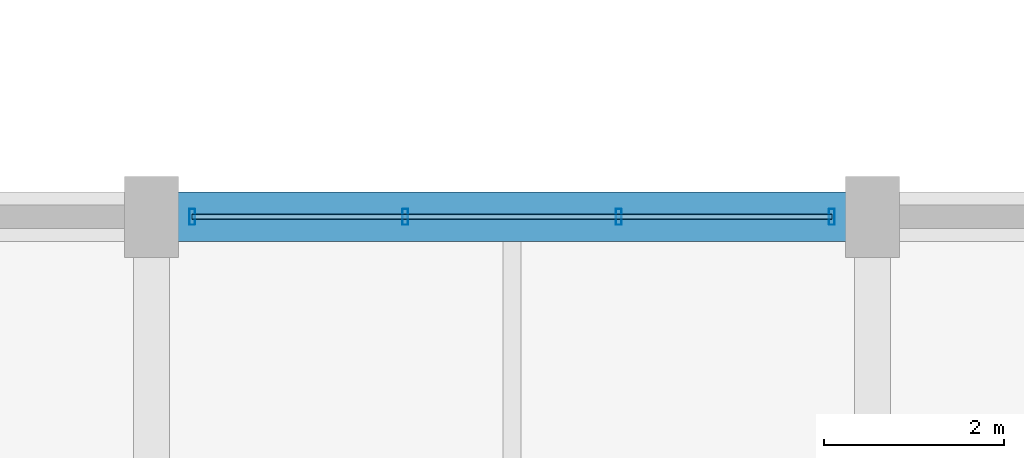
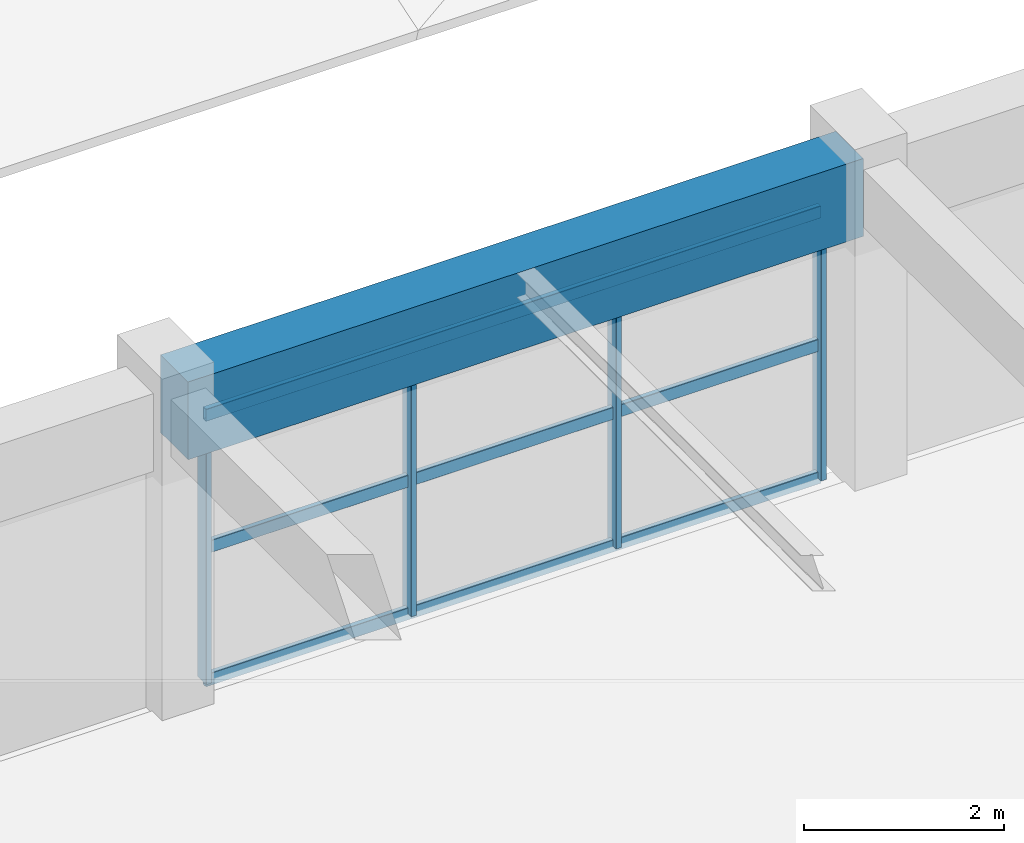
# One storey, part 7 of 63: 7 members, 1 beam, 1 element without a shape of its own.
"""IFC4 building model written with IfcOpenShell, lengths in metres."""

import ifcopenshell
import ifcopenshell.guid

model = None  # the IFC model being written
_history = None  # IfcOwnerHistory: only IFC2X3 demands one
_inside = {}  # id of a spatial element -> (the spatial element, [elements in it])
_under = {}  # id of a project, library or spatial element -> (it, [spatial elements below it])
_declared = {}  # id of a project -> (the project, [libraries it declares])
_typed = {}  # id of a type object -> (the type object, [elements of that type])
_made_of = {}  # id of a material, layer set ... -> (it, [elements and type objects made of it])


def new_model(schema):
    """Start an empty IFC model of exactly this schema.

    Asked for "IFC4X3", IfcOpenShell would pick the latest addendum, in which some entities
    have other attributes; the version numbers below select the first issue.
    IFC2X3 requires an IfcOwnerHistory on every rooted entity: one is made here for all.
    """
    global model, _history
    if schema == "IFC4X3":
        model = ifcopenshell.file(schema_version=(4, 3, 0, 0))
    else:
        model = ifcopenshell.file(schema=schema)
    _inside.clear()
    _under.clear()
    _declared.clear()
    _typed.clear()
    _made_of.clear()
    _history = None
    if model.schema == "IFC2X3":
        org = make("IfcOrganization", Name="unknown")
        user = make(
            "IfcPersonAndOrganization",
            ThePerson=make("IfcPerson", FamilyName="unknown"),
            TheOrganization=org,
        )
        app = make(
            "IfcApplication",
            ApplicationDeveloper=org,
            Version="unknown",
            ApplicationFullName="unknown",
            ApplicationIdentifier="unknown",
        )
        _history = make(
            "IfcOwnerHistory",
            OwningUser=user,
            OwningApplication=app,
            ChangeAction="ADDED",
            CreationDate=0,
        )
    return model


def make(cls, **values):
    """One entity of the class cls with the attributes given. An attribute that is None is left unset."""
    return model.create_entity(
        cls, **{name: value for name, value in values.items() if value is not None}
    )


def rooted(cls, **values):
    """An entity with a GlobalId (a new one), such as an element, a storey or a relation."""
    return make(cls, GlobalId=ifcopenshell.guid.new(), OwnerHistory=_history, **values)


def si_unit(unit_type, name, prefix=None):
    """IfcSIUnit, for example si_unit("LENGTHUNIT", "METRE", prefix="MILLI")."""
    return make("IfcSIUnit", UnitType=unit_type, Prefix=prefix, Name=name)


def assignment(units):
    """IfcUnitAssignment: the units of a project."""
    return None if units is None else make("IfcUnitAssignment", Units=units)


def point(xyz):
    """IfcCartesianPoint."""
    return None if xyz is None else make("IfcCartesianPoint", Coordinates=xyz)


def direction(xyz):
    """IfcDirection."""
    return None if xyz is None else make("IfcDirection", DirectionRatios=xyz)


def frame(location, z_axis=None, x_axis=None):
    """IfcAxis2Placement3D, a coordinate frame: its origin and axes. An axis left out is left unset."""
    return make(
        "IfcAxis2Placement3D",
        Location=point(location),
        Axis=direction(z_axis),
        RefDirection=direction(x_axis),
    )


def frame_2d(location, x_axis=None):
    """IfcAxis2Placement2D, a coordinate frame in the plane: its origin and x axis."""
    return make(
        "IfcAxis2Placement2D", Location=point(location), RefDirection=direction(x_axis)
    )


def origin():
    """The frame at (0, 0, 0) with its axes left unset."""
    return frame((0.0, 0.0, 0.0))


def origin_2d():
    """The frame at (0, 0) in the plane with its x axis left unset."""
    return frame_2d((0.0, 0.0))


def place(relative_to, where):
    """IfcLocalPlacement: puts the frame where relative to a parent placement (None: the world)."""
    return make(
        "IfcLocalPlacement", PlacementRelTo=relative_to, RelativePlacement=where
    )


def context(
    kind, dimensions, precision=None, world=None, true_north=None, identifier=None
):
    """IfcGeometricRepresentationContext, for example the 3D "Model" context."""
    return make(
        "IfcGeometricRepresentationContext",
        ContextIdentifier=identifier,
        ContextType=kind,
        CoordinateSpaceDimension=dimensions,
        Precision=precision,
        WorldCoordinateSystem=world,
        TrueNorth=true_north,
    )


def subcontext(parent, identifier, kind, view, scale=None):
    """IfcGeometricRepresentationSubContext, for example "Body" below "Model"."""
    return make(
        "IfcGeometricRepresentationSubContext",
        ContextIdentifier=identifier,
        ContextType=kind,
        ParentContext=parent,
        TargetScale=scale,
        TargetView=view,
    )


def project(units=None, contexts=None):
    """IfcProject with its units and contexts."""
    return rooted(
        "IfcProject",
        Name="project",
        RepresentationContexts=contexts,
        UnitsInContext=assignment(units),
    )


def spatial(cls, under=None, at=None, **own):
    """A site, building, storey or space (cls), placed at a placement, below another one or the project."""
    s = rooted(cls, ObjectPlacement=at, **own)
    if under is not None:
        _under.setdefault(under.id(), (under, []))[1].append(s)
    return s


def profile(cls, at=None, kind="AREA", **sizes):
    """A parametric profile (cls). Its sizes go by their IFC names, for example OverallWidth=200.0."""
    return make(cls, ProfileType=kind, Position=at, **sizes)


def rectangle(**sizes):
    """IfcRectangleProfileDef."""
    return profile("IfcRectangleProfileDef", **sizes)


def hollow_rectangle(**sizes):
    """IfcRectangleHollowProfileDef."""
    return profile("IfcRectangleHollowProfileDef", **sizes)


def extrude(swept, where, along, depth):
    """IfcExtrudedAreaSolid: the profile swept, set in the frame where, extruded along a direction by depth."""
    return make(
        "IfcExtrudedAreaSolid",
        SweptArea=swept,
        Position=where,
        ExtrudedDirection=direction(along),
        Depth=depth,
    )


def shape(context_of_items, identifier, shape_type, items):
    """IfcShapeRepresentation: the items that make up one representation, for example the "Body"."""
    return make(
        "IfcShapeRepresentation",
        ContextOfItems=context_of_items,
        RepresentationIdentifier=identifier,
        RepresentationType=shape_type,
        Items=items,
    )


def material(Name=None, Category=None):
    """IfcMaterial."""
    return make("IfcMaterial", Name=Name, Category=Category)


def material_profile(
    of_material, cross_section, Name=None, Category=None, Priority=None
):
    """IfcMaterialProfile: a cross section and its material."""
    return make(
        "IfcMaterialProfile",
        Name=Name,
        Material=of_material,
        Profile=cross_section,
        Priority=Priority,
        Category=Category,
    )


def profile_set(profiles, Name=None, composite=None):
    """IfcMaterialProfileSet."""
    return make(
        "IfcMaterialProfileSet",
        Name=Name,
        MaterialProfiles=profiles,
        CompositeProfile=composite,
    )


def made_of(thing, what):
    """Note that an element or type object is made of a material, layer set ...; save() writes the relation."""
    if what is not None:
        _made_of.setdefault(what.id(), (what, []))[1].append(thing)
    return thing


def type_object(cls, material=None, **own):
    """A type object (cls), such as IfcWallType, which elements share."""
    return made_of(rooted(cls, **own), material)


def element(
    cls,
    number,
    at=None,
    inside=None,
    cuts=None,
    type_object=None,
    material=None,
    context=None,
    identifier="Body",
    shape_type=None,
    held_by="IfcProductDefinitionShape",
    body=None,
    shapes=None,
    **own,
):
    """One element of the class cls, such as IfcWall. Its Tag is "e" and its number.

    at: its placement. inside: the storey or other place that contains it. cuts: it is an
    opening in that element (IfcRelVoidsElement). A single representation is given by context,
    identifier, shape_type and body (its items); several are given by shapes. held_by: the class
    of the entity that holds the representations. save() writes the other relations.
    """
    e = rooted(cls, Tag="e%d" % number, ObjectPlacement=at, **own)
    if body is not None:
        shapes = [shape(context, identifier, shape_type, body)]
    if shapes is not None:
        e.Representation = make(held_by, Representations=shapes)
    if inside is not None:
        _inside.setdefault(inside.id(), (inside, []))[1].append(e)
    if cuts is not None:
        rooted(
            "IfcRelVoidsElement", RelatingBuildingElement=cuts, RelatedOpeningElement=e
        )
    if type_object is not None:
        _typed.setdefault(type_object.id(), (type_object, []))[1].append(e)
    return made_of(e, material)


def aggregate(whole, parts):
    """IfcRelAggregates: a whole, such as a stair, and the parts it consists of."""
    return rooted("IfcRelAggregates", RelatingObject=whole, RelatedObjects=parts)


def save(model, path):
    """Write the relations noted so far, then the file.

    IfcRelAggregates (storeys below a building ...), IfcRelContainedInSpatialStructure (elements
    in a storey), IfcRelDefinesByType, IfcRelAssociatesMaterial and IfcRelDeclares: one each for
    every whole, place, type object, material and project.
    """
    for whole, parts in _under.values():
        aggregate(whole, parts)
    for where, things in _inside.values():
        rooted(
            "IfcRelContainedInSpatialStructure",
            RelatedElements=things,
            RelatingStructure=where,
        )
    for kind, things in _typed.values():
        rooted("IfcRelDefinesByType", RelatedObjects=things, RelatingType=kind)
    for what, things in _made_of.values():
        rooted("IfcRelAssociatesMaterial", RelatedObjects=things, RelatingMaterial=what)
    for by, libraries in _declared.values():
        rooted("IfcRelDeclares", RelatingContext=by, RelatedDefinitions=libraries)
    model.write(path)


model = new_model("IFC4")

# Units and contexts
model_context = context("Model", 3, precision=1e-05, world=origin(), true_north=direction((0.0, 1.0)))
body_context = subcontext(model_context, "Body", "Model", "MODEL_VIEW")
ifc_project = project(units=[si_unit("LENGTHUNIT", "METRE"), si_unit("AREAUNIT", "SQUARE_METRE"), si_unit("VOLUMEUNIT", "CUBIC_METRE"), si_unit("PLANEANGLEUNIT", "RADIAN"), si_unit("MASSUNIT", "GRAM", prefix="KILO")], contexts=[model_context])

# Site, building, storey
site_placement = place(None, origin())
site = spatial("IfcSite", under=ifc_project, at=site_placement, CompositionType="ELEMENT")
building_placement = place(site_placement, origin())
building = spatial("IfcBuilding", under=site, at=building_placement, Name="Varnabhumi Central Station", CompositionType="ELEMENT")
storey_placement = place(building_placement, frame((0.0, 0.0, 20.39990234375)))
storey = spatial("IfcBuildingStorey", under=building, at=storey_placement, Name="L04", CompositionType="ELEMENT", Elevation=20.39990234375)

# Beam
ifc_material_1 = material(Name="Concrete M40", Category="concrete")
ifc_material_profile_1 = material_profile(ifc_material_1, rectangle(XDim=0.550048828125, YDim=0.949951171875, at=origin_2d()), Name="Concrete M40", Category="concrete")
ifc_profile_set_1 = profile_set([ifc_material_profile_1], Name="Concrete M40")
beam_type = type_object("IfcBeamType", Name="BM-RC-550x950", PredefinedType="BEAM", material=ifc_profile_set_1)
beam_placement = place(storey_placement, frame((80.10009765625, 36.0, 3.445068359375), z_axis=(1.0, 0.0, 0.0), x_axis=(0.0, 1.0, 0.0)))
element("IfcBeam", 1, at=beam_placement, inside=storey, type_object=beam_type, Name="Beam L04-E:11-12", PredefinedType="BEAM", context=body_context, shape_type="SweptSolid", body=[
    extrude(rectangle(XDim=0.550048828125, YDim=0.949951171875, at=origin_2d()), origin(), (0.0, 0.0, 1.0), 7.7998046875),
])

# Curtain wall, members
ifc_material_2 = material(Name="Anodised aluminium 6063-T6", Category="aluminium")
curtain_wall_type = type_object("IfcCurtainWallType", Name="CW-SPINE-SCREEN-L0", PredefinedType="NOTDEFINED", material=ifc_material_2)
curtain_wall_placement = place(storey_placement, origin())
curtain_wall = element("IfcCurtainWall", 2, at=curtain_wall_placement, inside=storey, type_object=curtain_wall_type, Name="Curtain Wall CW-SS406", PredefinedType="NOTDEFINED")
ifc_material_profile_2 = material_profile(ifc_material_2, hollow_rectangle(XDim=0.06494140625, YDim=0.179931640625, WallThickness=0.00390625, InnerFilletRadius=0.001953125, OuterFilletRadius=0.006103515625, at=origin_2d()), Name="Anodised aluminium 6063-T6", Category="aluminium")
ifc_profile_set_2 = profile_set([ifc_material_profile_2], Name="Anodised aluminium 6063-T6")
member_type_1 = type_object("IfcMemberType", Name="CW-MUL-180", PredefinedType="MULLION", material=ifc_profile_set_2)
member_1_placement = place(storey_placement, frame((80.449951171875, 36.0, 0.0), z_axis=(0.0, 0.0, 1.0), x_axis=(1.0, 0.0, 0.0)))
member_1 = element("IfcMember", 3, at=member_1_placement, type_object=member_type_1, Name="Curtain Wall Mullion CW-SS406-M1", PredefinedType="MULLION", context=body_context, shape_type="SweptSolid", body=[
    extrude(hollow_rectangle(XDim=0.06494140625, YDim=0.179931640625, WallThickness=0.00390625, InnerFilletRadius=0.001953125, OuterFilletRadius=0.006103515625, at=origin_2d()), origin(), (0.0, 0.0, 1.0), 3.239990234375),
])
member_2_placement = place(storey_placement, frame((82.816650390625, 36.0, 0.0), z_axis=(0.0, 0.0, 1.0), x_axis=(1.0, 0.0, 0.0)))
member_2 = element("IfcMember", 4, at=member_2_placement, type_object=member_type_1, Name="Curtain Wall Mullion CW-SS406-M2", PredefinedType="MULLION", context=body_context, shape_type="SweptSolid", body=[
    extrude(hollow_rectangle(XDim=0.06494140625, YDim=0.179931640625, WallThickness=0.00390625, InnerFilletRadius=0.001953125, OuterFilletRadius=0.006103515625, at=origin_2d()), origin(), (0.0, 0.0, 1.0), 3.239990234375),
])
member_3_placement = place(storey_placement, frame((85.183349609375, 36.0, 0.0), z_axis=(0.0, 0.0, 1.0), x_axis=(1.0, 0.0, 0.0)))
member_3 = element("IfcMember", 5, at=member_3_placement, type_object=member_type_1, Name="Curtain Wall Mullion CW-SS406-M3", PredefinedType="MULLION", context=body_context, shape_type="SweptSolid", body=[
    extrude(hollow_rectangle(XDim=0.06494140625, YDim=0.179931640625, WallThickness=0.00390625, InnerFilletRadius=0.001953125, OuterFilletRadius=0.006103515625, at=origin_2d()), origin(), (0.0, 0.0, 1.0), 3.239990234375),
])
member_4_placement = place(storey_placement, frame((87.550048828125, 36.0, 0.0), z_axis=(0.0, 0.0, 1.0), x_axis=(1.0, 0.0, 0.0)))
member_4 = element("IfcMember", 6, at=member_4_placement, type_object=member_type_1, Name="Curtain Wall Mullion CW-SS406-M4", PredefinedType="MULLION", context=body_context, shape_type="SweptSolid", body=[
    extrude(hollow_rectangle(XDim=0.06494140625, YDim=0.179931640625, WallThickness=0.00390625, InnerFilletRadius=0.001953125, OuterFilletRadius=0.006103515625, at=origin_2d()), origin(), (0.0, 0.0, 1.0), 3.239990234375),
])
ifc_material_profile_3 = material_profile(ifc_material_2, hollow_rectangle(XDim=0.06005859375, YDim=0.14990234375, WallThickness=0.00390625, InnerFilletRadius=0.001953125, OuterFilletRadius=0.006103515625, at=origin_2d()), Name="Anodised aluminium 6063-T6", Category="aluminium")
ifc_profile_set_3 = profile_set([ifc_material_profile_3], Name="Anodised aluminium 6063-T6")
member_type_2 = type_object("IfcMemberType", Name="CW-TR-150", PredefinedType="USERDEFINED", material=ifc_profile_set_3)
member_5_placement = place(storey_placement, frame((80.449951171875, 36.0, 0.0), z_axis=(1.0, 0.0, 0.0), x_axis=(0.0, 1.0, 0.0)))
member_5 = element("IfcMember", 7, at=member_5_placement, type_object=member_type_2, Name="Curtain Wall Transom CW-SS406-T1", ObjectType="TRANSOM", PredefinedType="USERDEFINED", context=body_context, shape_type="SweptSolid", body=[
    extrude(hollow_rectangle(XDim=0.06005859375, YDim=0.14990234375, WallThickness=0.00390625, InnerFilletRadius=0.001953125, OuterFilletRadius=0.006103515625, at=origin_2d()), origin(), (0.0, 0.0, 1.0), 7.10009765625),
])
member_6_placement = place(storey_placement, frame((80.449951171875, 36.0, 1.6201171875), z_axis=(1.0, 0.0, 0.0), x_axis=(0.0, 1.0, 0.0)))
member_6 = element("IfcMember", 8, at=member_6_placement, type_object=member_type_2, Name="Curtain Wall Transom CW-SS406-T2", ObjectType="TRANSOM", PredefinedType="USERDEFINED", context=body_context, shape_type="SweptSolid", body=[
    extrude(hollow_rectangle(XDim=0.06005859375, YDim=0.14990234375, WallThickness=0.00390625, InnerFilletRadius=0.001953125, OuterFilletRadius=0.006103515625, at=origin_2d()), origin(), (0.0, 0.0, 1.0), 7.10009765625),
])
member_7_placement = place(storey_placement, frame((80.449951171875, 36.0, 3.239990234375), z_axis=(1.0, 0.0, 0.0), x_axis=(0.0, 1.0, 0.0)))
member_7 = element("IfcMember", 9, at=member_7_placement, type_object=member_type_2, Name="Curtain Wall Transom CW-SS406-T3", ObjectType="TRANSOM", PredefinedType="USERDEFINED", context=body_context, shape_type="SweptSolid", body=[
    extrude(hollow_rectangle(XDim=0.06005859375, YDim=0.14990234375, WallThickness=0.00390625, InnerFilletRadius=0.001953125, OuterFilletRadius=0.006103515625, at=origin_2d()), origin(), (0.0, 0.0, 1.0), 7.10009765625),
])
aggregate(curtain_wall, [member_1, member_2, member_3, member_4, member_5, member_6, member_7])

save(model, "model.ifc")
